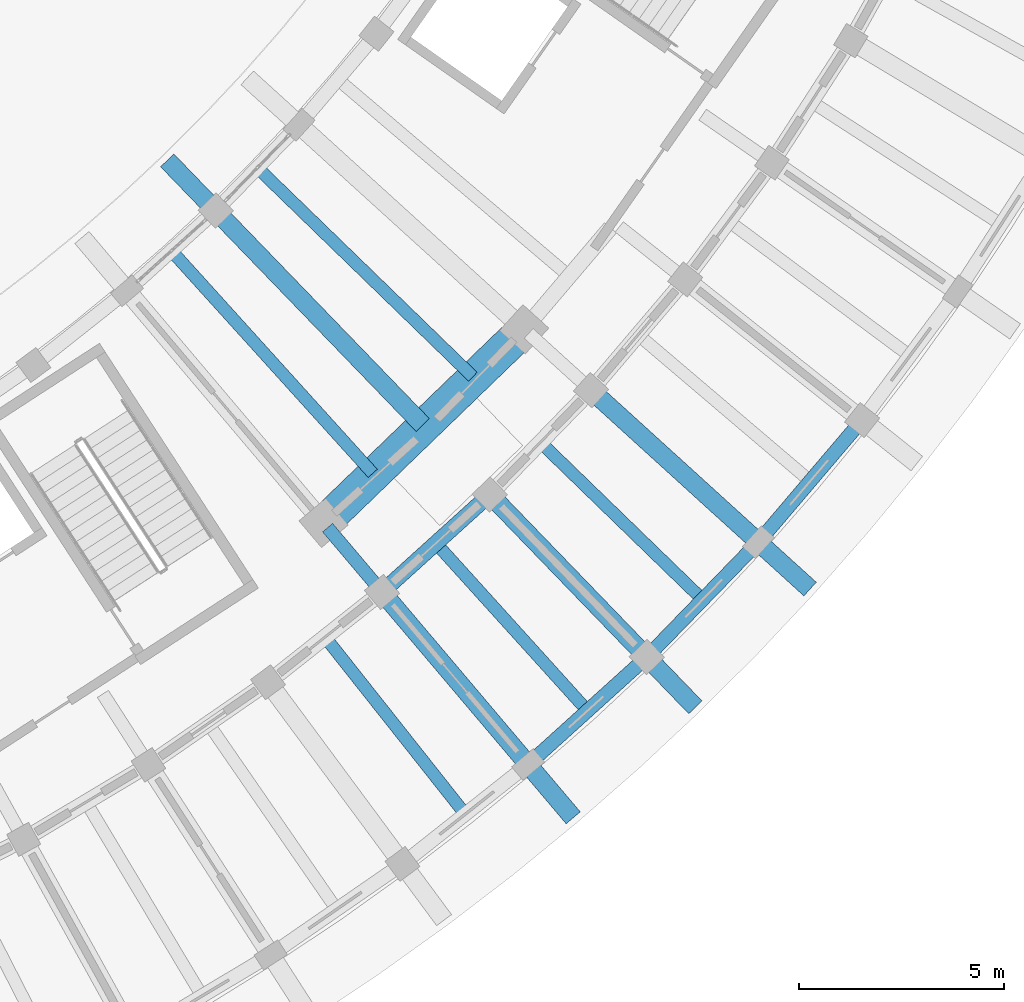
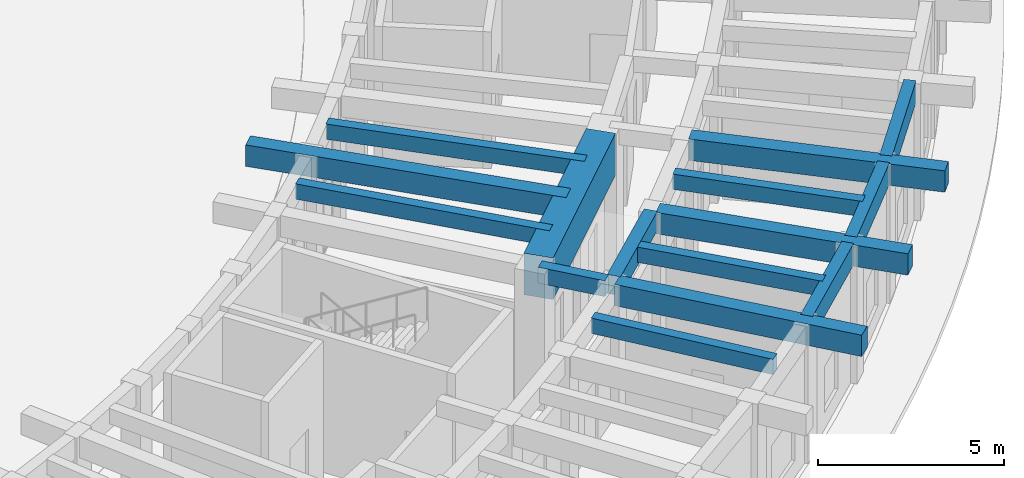
# One storey, part 56 of 132: 15 beams.
"""IFC4 building model written with IfcOpenShell, lengths in metres."""

from ifc_helpers import new_model, si_unit, direction, frame, origin, origin_2d, place, context, subcontext, project, spatial, rectangle, extrude, material, material_profile, profile_set, type_object, element, save


model = new_model("IFC4")

# Units and contexts
model_context = context("Model", 3, precision=1e-05, world=origin(), true_north=direction((0.0, 1.0)))
body_context = subcontext(model_context, "Body", "Model", "MODEL_VIEW")
ifc_project = project(units=[si_unit("LENGTHUNIT", "METRE"), si_unit("AREAUNIT", "SQUARE_METRE"), si_unit("VOLUMEUNIT", "CUBIC_METRE"), si_unit("PLANEANGLEUNIT", "RADIAN"), si_unit("MASSUNIT", "GRAM", prefix="KILO")], contexts=[model_context])

# Site, building, storey
site_placement = place(None, origin())
site = spatial("IfcSite", under=ifc_project, at=site_placement, CompositionType="ELEMENT")
building_placement = place(site_placement, origin())
building = spatial("IfcBuilding", under=site, at=building_placement, Name="Tanwirah Colonnade Gardens", CompositionType="ELEMENT")
storey_placement = place(building_placement, origin())
storey = spatial("IfcBuildingStorey", under=building, at=storey_placement, Name="L00", CompositionType="ELEMENT", Elevation=0.0)

# Beams
ifc_material_1 = material(Name="Precast concrete C40/50", Category="concrete")
ifc_material_profile_1 = material_profile(ifc_material_1, rectangle(XDim=0.320068359375, YDim=0.52001953125, at=origin_2d()), Name="PC-BM 320x520")
ifc_profile_set_1 = profile_set([ifc_material_profile_1], Name="Precast concrete C40/50")
beam_type_1 = type_object("IfcBeamType", Name="BM-PC320", PredefinedType="BEAM", material=ifc_profile_set_1)
beam_1_placement = place(storey_placement, frame((154.598388671875, 24.81201171875, 4.22509765625), z_axis=(0.646155325581, -0.763205932382, 0.0), x_axis=(0.763205932382, 0.646155325581, 0.0)))
element("IfcBeam", 1, at=beam_1_placement, inside=storey, type_object=beam_type_1, Name="Block D L00 Corridor Tie Beam 7", PredefinedType="BEAM", context=body_context, shape_type="SweptSolid", body=[
    extrude(rectangle(XDim=0.320068359375, YDim=0.52001953125, at=origin_2d()), origin(), (0.0, 0.0, 1.0), 1.900146484375),
])
ifc_material_profile_2 = material_profile(ifc_material_1, rectangle(XDim=0.3798828125, YDim=0.6201171875, at=origin_2d()), Name="PC-BM 380x620")
ifc_profile_set_2 = profile_set([ifc_material_profile_2], Name="Precast concrete C40/50")
beam_type_2 = type_object("IfcBeamType", Name="BM-PC380", PredefinedType="BEAM", material=ifc_profile_set_2)
beam_2_placement = place(storey_placement, frame((156.0341796875, 23.347900390625, 4.175048828125), z_axis=(0.741701929733, 0.670729638104, 0.0), x_axis=(-0.670729638104, 0.741701929733, 0.0)))
element("IfcBeam", 2, at=beam_2_placement, inside=storey, type_object=beam_type_2, Name="Block D L00 Circumferential Beam 7-R2", PredefinedType="BEAM", context=body_context, shape_type="SweptSolid", body=[
    extrude(rectangle(XDim=0.3798828125, YDim=0.6201171875, at=origin_2d()), origin(), (0.0, 0.0, 1.0), 3.237060546875),
])
ifc_material_2 = material(Name="Precast concrete C45/55", Category="concrete")
ifc_material_profile_3 = material_profile(ifc_material_2, rectangle(XDim=0.449951171875, YDim=0.699951171875, at=origin_2d()), Name="PC-BM 450x700")
ifc_profile_set_3 = profile_set([ifc_material_profile_3], Name="Precast concrete C45/55")
beam_type_3 = type_object("IfcBeamType", Name="BM-PC450", PredefinedType="BEAM", material=ifc_profile_set_3)
beam_3_placement = place(storey_placement, frame((156.02001953125, 23.1328125, 4.135009765625), z_axis=(0.646119193339, -0.763236521663, 0.0), x_axis=(0.763236521663, 0.646119193339, 0.0)))
element("IfcBeam", 3, at=beam_3_placement, inside=storey, type_object=beam_type_3, Name="Block D L00 Outer Radial Precast Girder 7", PredefinedType="BEAM", context=body_context, shape_type="SweptSolid", body=[
    extrude(rectangle(XDim=0.449951171875, YDim=0.699951171875, at=origin_2d()), origin(), (0.0, 0.0, 1.0), 7.050048828125),
])
beam_4_placement = place(storey_placement, frame((156.913818359375, 27.31005859375, 4.135009765625), z_axis=(-0.694655848402, 0.719342235852, 0.0), x_axis=(-0.719342235852, -0.694655848402, 0.0)))
element("IfcBeam", 4, at=beam_4_placement, inside=storey, type_object=beam_type_3, Name="Block D L00 Inner Radial Precast Girder 8", PredefinedType="BEAM", context=body_context, shape_type="SweptSolid", body=[
    extrude(rectangle(XDim=0.449951171875, YDim=0.699951171875, at=origin_2d()), origin(), (0.0, 0.0, 1.0), 8.9501953125),
])
beam_5_placement = place(storey_placement, frame((158.650390625, 25.51171875, 4.135009765625), z_axis=(0.69467114255, -0.719327466254, 0.0), x_axis=(0.719327466254, 0.69467114255, 0.0)))
element("IfcBeam", 5, at=beam_5_placement, inside=storey, type_object=beam_type_3, Name="Block D L00 Outer Radial Precast Girder 8", PredefinedType="BEAM", context=body_context, shape_type="SweptSolid", body=[
    extrude(rectangle(XDim=0.449951171875, YDim=0.699951171875, at=origin_2d()), origin(), (0.0, 0.0, 1.0), 7.050048828125),
])
beam_6_placement = place(storey_placement, frame((161.119873046875, 28.0576171875, 4.135009765625), z_axis=(0.740229899169, -0.672353847596, 0.0), x_axis=(0.672353847596, 0.740229899169, 0.0)))
element("IfcBeam", 6, at=beam_6_placement, inside=storey, type_object=beam_type_3, Name="Block D L00 Outer Radial Precast Girder 9", PredefinedType="BEAM", context=body_context, shape_type="SweptSolid", body=[
    extrude(rectangle(XDim=0.449951171875, YDim=0.699951171875, at=origin_2d()), origin(), (0.0, 0.0, 1.0), 7.0498046875),
])
ifc_material_profile_4 = material_profile(ifc_material_1, rectangle(XDim=0.300048828125, YDim=0.5, at=origin_2d()), Name="PC-JST 300x500")
ifc_profile_set_4 = profile_set([ifc_material_profile_4], Name="Precast concrete C40/50")
beam_type_4 = type_object("IfcBeamType", Name="JST-PC300", PredefinedType="JOIST", material=ifc_profile_set_4)
for number, where, z_axis, x_axis, name in (
    (7, (154.629150390625, 22.03271484375, 4.235107421875), (0.620787347885, -0.783978997617, 0.0), (0.783978997617, 0.620787347885, 0.0), "Block D L00 Precast Floor Joist 6"),
    (8, (157.33447265625, 24.322998046875, 4.235107421875), (0.670780841255, -0.741655622918, 0.0), (0.741655622918, 0.670780841255, 0.0), "Block D L00 Precast Floor Joist 7"),
):
    element("IfcBeam", number, at=place(storey_placement, frame(where, z_axis=z_axis, x_axis=x_axis)), inside=storey, type_object=beam_type_4, Name=name, PredefinedType="JOIST", context=body_context, shape_type="SweptSolid", body=[
        extrude(rectangle(XDim=0.300048828125, YDim=0.5, at=origin_2d()), origin(), (0.0, 0.0, 1.0), 5.260009765625),
    ])
beam_7_placement = place(storey_placement, frame((150.895263671875, 31.443115234375, 4.235107421875), z_axis=(0.670773136608, -0.741662591214, 0.0), x_axis=(0.741662591214, 0.670773136608, 0.0)))
element("IfcBeam", 9, at=beam_7_placement, inside=storey, type_object=beam_type_4, Name="Block D L00 Inner Precast Floor Joist 7", PredefinedType="JOIST", context=body_context, shape_type="SweptSolid", body=[
    extrude(rectangle(XDim=0.300048828125, YDim=0.5, at=origin_2d()), origin(), (0.0, 0.0, 1.0), 7.159912109375),
])
beam_8_placement = place(storey_placement, frame((159.884521484375, 26.785400390625, 4.235107421875), z_axis=(0.717816036263, -0.696232818878, 0.0), x_axis=(0.696232818878, 0.717816036263, 0.0)))
element("IfcBeam", 10, at=beam_8_placement, inside=storey, type_object=beam_type_4, Name="Block D L00 Precast Floor Joist 8", PredefinedType="JOIST", context=body_context, shape_type="SweptSolid", body=[
    extrude(rectangle(XDim=0.300048828125, YDim=0.5, at=origin_2d()), origin(), (0.0, 0.0, 1.0), 5.260009765625),
])
beam_9_placement = place(storey_placement, frame((152.993408203125, 33.46923828125, 4.235107421875), z_axis=(0.717816218075, -0.69623263143, 0.0), x_axis=(0.69623263143, 0.717816218075, 0.0)))
element("IfcBeam", 11, at=beam_9_placement, inside=storey, type_object=beam_type_4, Name="Block D L00 Inner Precast Floor Joist 8", PredefinedType="JOIST", context=body_context, shape_type="SweptSolid", body=[
    extrude(rectangle(XDim=0.300048828125, YDim=0.5, at=origin_2d()), origin(), (0.0, 0.0, 1.0), 7.16015625),
])
ifc_material_profile_5 = material_profile(ifc_material_2, rectangle(XDim=0.340087890625, YDim=0.699951171875, at=origin_2d()), Name="PC-SP 340x700")
ifc_profile_set_5 = profile_set([ifc_material_profile_5], Name="Precast concrete C45/55")
beam_type_5 = type_object("IfcBeamType", Name="SP-PC340", PredefinedType="SPANDREL", material=ifc_profile_set_5)
beam_10_placement = place(storey_placement, frame((159.587890625, 19.150146484375, 4.135009765625), z_axis=(0.741682092868, 0.670751573325, 0.0), x_axis=(-0.670751573325, 0.741682092868, 0.0)))
element("IfcBeam", 12, at=beam_10_placement, inside=storey, type_object=beam_type_5, Name="Block D L00 Circumferential Beam 7-R3", PredefinedType="SPANDREL", context=body_context, shape_type="SweptSolid", body=[
    extrude(rectangle(XDim=0.340087890625, YDim=0.699951171875, at=origin_2d()), origin(), (0.0, 0.0, 1.0), 3.596923828125),
])
for number, where, z_axis, x_axis, name in (
    (13, (162.471435546875, 21.77099609375, 4.135009765625), (0.696231699401, 0.717817122079, 0.0), (-0.717817122079, 0.696231699401, 0.0), "Block D L00 Circumferential Beam 8-R3"),
    (14, (165.17724609375, 24.574951171875, 4.135009765625), (0.647784367984, 0.76182374116, 0.0), (-0.76182374116, 0.647784367984, 0.0), "Block D L00 Circumferential Beam 9-R3"),
):
    element("IfcBeam", number, at=place(storey_placement, frame(where, z_axis=z_axis, x_axis=x_axis)), inside=storey, type_object=beam_type_5, Name=name, PredefinedType="SPANDREL", context=body_context, shape_type="SweptSolid", body=[
        extrude(rectangle(XDim=0.340087890625, YDim=0.699951171875, at=origin_2d()), origin(), (0.0, 0.0, 1.0), 3.5966796875),
    ])
ifc_material_3 = material(Name="Concrete C50/60", Category="concrete")
ifc_material_profile_6 = material_profile(ifc_material_3, rectangle(XDim=0.820068359375, YDim=1.360107421875, at=origin_2d()), Name="RC-TG 820x1360")
ifc_profile_set_6 = profile_set([ifc_material_profile_6], Name="Concrete C50/60")
beam_type_6 = type_object("IfcBeamType", Name="TG-RC750", PredefinedType="BEAM", material=ifc_profile_set_6)
beam_11_placement = place(storey_placement, frame((154.75341796875, 25.16943359375, 3.804931640625), z_axis=(0.719341977251, 0.694656116193, 0.0), x_axis=(-0.694656116193, 0.719341977251, 0.0)))
element("IfcBeam", 15, at=beam_11_placement, inside=storey, type_object=beam_type_6, Name="Block D L00 Entrance Lobby Transfer Girder", PredefinedType="BEAM", context=body_context, shape_type="SweptSolid", body=[
    extrude(rectangle(XDim=0.820068359375, YDim=1.360107421875, at=origin_2d()), origin(), (0.0, 0.0, 1.0), 6.082275390625),
])

save(model, "model.ifc")
